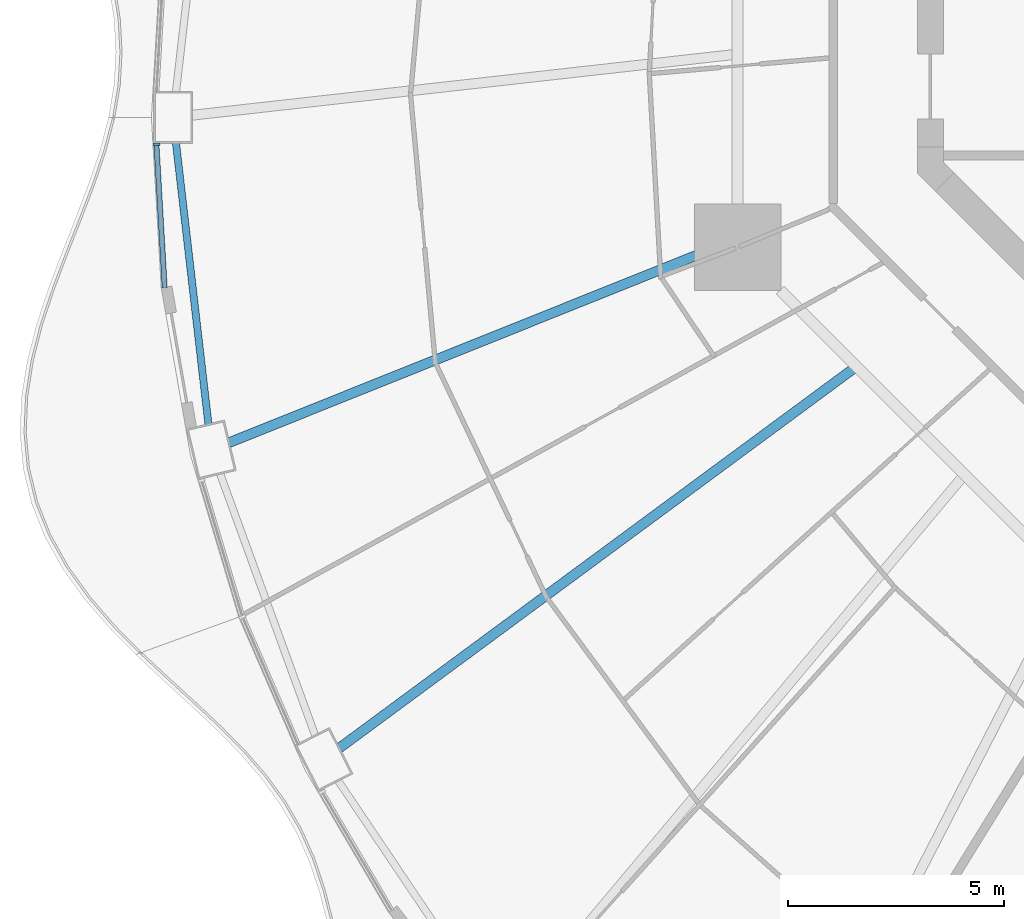
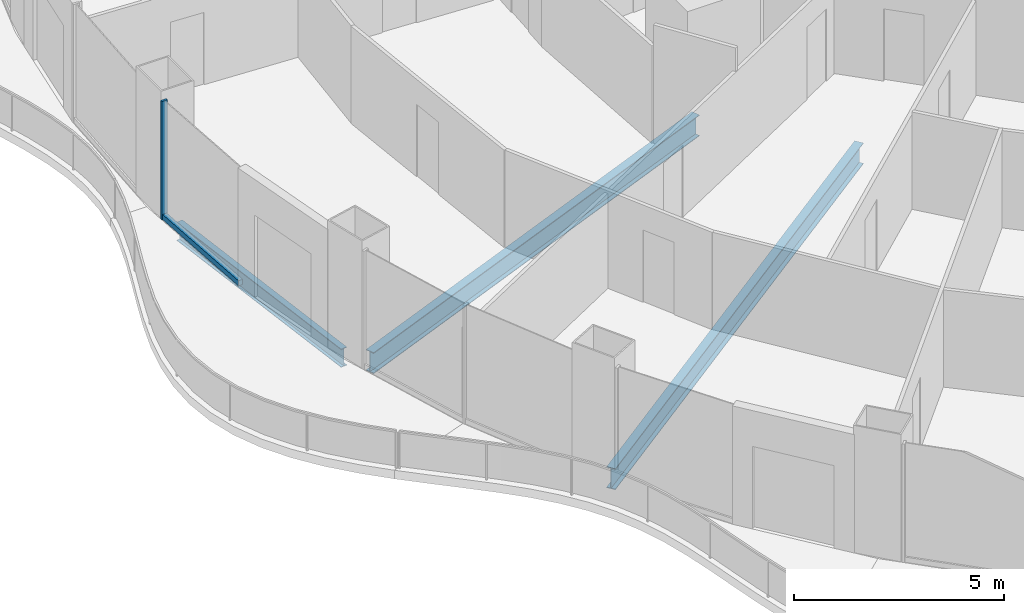
# One storey, part 4 of 21: 3 beams, 2 members, 1 element without a shape of its own.
"""IFC4 building model written with IfcOpenShell, lengths in metres."""

from ifc_helpers import new_model, si_unit, direction, frame, origin, origin_2d, place, context, subcontext, project, spatial, rectangle, i_section, extrude, material, layer, layer_set, material_profile, profile_set, type_object, element, aggregate, save


model = new_model("IFC4")

# Units and contexts
model_context = context("Model", 3, precision=1e-05, world=origin(), true_north=direction((0.0, 1.0)))
body_context = subcontext(model_context, "Body", "Model", "MODEL_VIEW")
ifc_project = project(units=[si_unit("LENGTHUNIT", "METRE"), si_unit("AREAUNIT", "SQUARE_METRE"), si_unit("VOLUMEUNIT", "CUBIC_METRE"), si_unit("PLANEANGLEUNIT", "RADIAN"), si_unit("MASSUNIT", "GRAM", prefix="KILO")], contexts=[model_context])

# Site, building, storey
site_placement = place(None, origin())
site = spatial("IfcSite", under=ifc_project, at=site_placement, CompositionType="ELEMENT")
building_placement = place(site_placement, origin())
building = spatial("IfcBuilding", under=site, at=building_placement, Name="Nagisa Residences", CompositionType="ELEMENT")
storey_placement = place(building_placement, frame((0.0, 0.0, 138.10009765625)))
storey = spatial("IfcBuildingStorey", under=building, at=storey_placement, Name="L34", CompositionType="ELEMENT", Elevation=138.10009765625)

# Curtain wall, members
ifc_material_1 = material(Name="Concrete-coloured aluminium curtain wall system", Category="concrete")
ifc_layer = layer(ifc_material_1, 0.159912109375)
ifc_layer_set = layer_set([ifc_layer], Name="CW1 CURTAIN WALL")
curtain_wall_type = type_object("IfcCurtainWallType", Name="CW1 CURTAIN WALL", PredefinedType="NOTDEFINED", material=ifc_layer_set)
curtain_wall_placement = place(storey_placement, origin())
curtain_wall = element("IfcCurtainWall", 1, at=curtain_wall_placement, inside=storey, type_object=curtain_wall_type, Name="cw:CW1:L34:24", PredefinedType="NOTDEFINED")
ifc_material_2 = material(Name="Concrete-coloured aluminium", Category="concrete")
ifc_material_profile_1 = material_profile(ifc_material_2, rectangle(XDim=0.159912109375, YDim=0.06005859375, at=origin_2d()), Name="CW1 MULLION 160x60")
ifc_profile_set_1 = profile_set([ifc_material_profile_1], Name="Concrete-coloured aluminium")
member_type_1 = type_object("IfcMemberType", Name="CW1 MULLION 160x60", PredefinedType="MULLION", material=ifc_profile_set_1)
member_1_placement = place(storey_placement, frame((-28.218994140625, -3.741943359375, 0.0), z_axis=(0.0, 0.0, 1.0), x_axis=(0.998345305184, 0.057503492216, 0.0)))
member_1 = element("IfcMember", 2, at=member_1_placement, type_object=member_type_1, Name="CW1 mullion", PredefinedType="MULLION", context=body_context, shape_type="SweptSolid", body=[
    extrude(rectangle(XDim=0.159912109375, YDim=0.06005859375, at=origin_2d()), origin(), (0.0, 0.0, 1.0), 3.43994140625),
])
ifc_material_3 = material(Name="Concrete-coloured aluminium", Category="concrete")
ifc_material_profile_2 = material_profile(ifc_material_3, rectangle(XDim=0.1201171875, YDim=0.14990234375, at=origin_2d()), Name="CW1 TRANSOM 120x150")
ifc_profile_set_2 = profile_set([ifc_material_profile_2], Name="Concrete-coloured aluminium")
member_type_2 = type_object("IfcMemberType", Name="CW1 TRANSOM 120x150", PredefinedType="USERDEFINED", material=ifc_profile_set_2)
member_2_placement = place(storey_placement, frame((-28.220703125, -3.712158203125, 0.074951171875), z_axis=(0.057537829427, -0.998343326809, 0.0), x_axis=(0.998343326809, 0.057537829427, 0.0)))
member_2 = element("IfcMember", 3, at=member_2_placement, type_object=member_type_2, Name="CW1 transom", ObjectType="TRANSOM", PredefinedType="USERDEFINED", context=body_context, shape_type="SweptSolid", body=[
    extrude(rectangle(XDim=0.1201171875, YDim=0.14990234375, at=origin_2d()), origin(), (0.0, 0.0, 1.0), 3.347900390625),
])
aggregate(curtain_wall, [member_1, member_2])

# Beams
ifc_material_4 = material(Name="Steel ASTM A572 Gr 50", Category="steel")
ifc_material_profile_3 = material_profile(ifc_material_4, i_section(OverallWidth=0.166015625, OverallDepth=0.534912109375, WebThickness=0.01025390625, FlangeThickness=0.0166015625, at=origin_2d()), Name="W530x85")
ifc_profile_set_3 = profile_set([ifc_material_profile_3], Name="Steel ASTM A572 Gr 50")
beam_type_1 = type_object("IfcBeamType", Name="Perimeter ring beam W530x85", PredefinedType="BEAM", material=ifc_profile_set_3)
beam_1_placement = place(storey_placement, frame((-27.76806640625, -3.69775390625, -0.527587890625), z_axis=(0.114660786771, -0.993404703017, 0.0), x_axis=(0.993404703017, 0.114660786771, 0.0)))
element("IfcBeam", 4, at=beam_1_placement, inside=storey, type_object=beam_type_1, Name="beam:L34:pb13", PredefinedType="BEAM", context=body_context, shape_type="SweptSolid", body=[
    extrude(i_section(OverallWidth=0.166015625, OverallDepth=0.534912109375, WebThickness=0.01025390625, FlangeThickness=0.0166015625, at=origin_2d()), origin(), (0.0, 0.0, 1.0), 6.568603515625),
])
ifc_material_5 = material(Name="Steel ASTM A572 Gr 50", Category="steel")
ifc_material_profile_4 = material_profile(ifc_material_5, i_section(OverallWidth=0.22900390625, OverallDepth=0.612060546875, WebThickness=0.011962890625, FlangeThickness=0.01953125, at=origin_2d()), Name="W610x125")
ifc_profile_set_4 = profile_set([ifc_material_profile_4], Name="Steel ASTM A572 Gr 50")
beam_type_2 = type_object("IfcBeamType", Name="Radial beam W610x125", PredefinedType="BEAM", material=ifc_profile_set_4)
beam_2_placement = place(storey_placement, frame((-26.5439453125, -10.641357421875, -0.566162109375), z_axis=(0.928186733156, 0.372114751648, 0.0), x_axis=(-0.372114751648, 0.928186733156, 0.0)))
element("IfcBeam", 5, at=beam_2_placement, inside=storey, type_object=beam_type_2, Name="beam:L34:rb14", PredefinedType="BEAM", context=body_context, shape_type="SweptSolid", body=[
    extrude(i_section(OverallWidth=0.22900390625, OverallDepth=0.612060546875, WebThickness=0.011962890625, FlangeThickness=0.01953125, at=origin_2d()), origin(), (0.0, 0.0, 1.0), 12.554931640625),
])
beam_3_placement = place(storey_placement, frame((-23.995849609375, -17.7060546875, -0.566162109375), z_axis=(0.804660796299, 0.59373479172, 0.0), x_axis=(-0.59373479172, 0.804660796299, 0.0)))
element("IfcBeam", 6, at=beam_3_placement, inside=storey, type_object=beam_type_2, Name="beam:L34:rb15", PredefinedType="BEAM", context=body_context, shape_type="SweptSolid", body=[
    extrude(i_section(OverallWidth=0.22900390625, OverallDepth=0.612060546875, WebThickness=0.011962890625, FlangeThickness=0.01953125, at=origin_2d()), origin(), (0.0, 0.0, 1.0), 14.763427734375),
])

save(model, "model.ifc")
